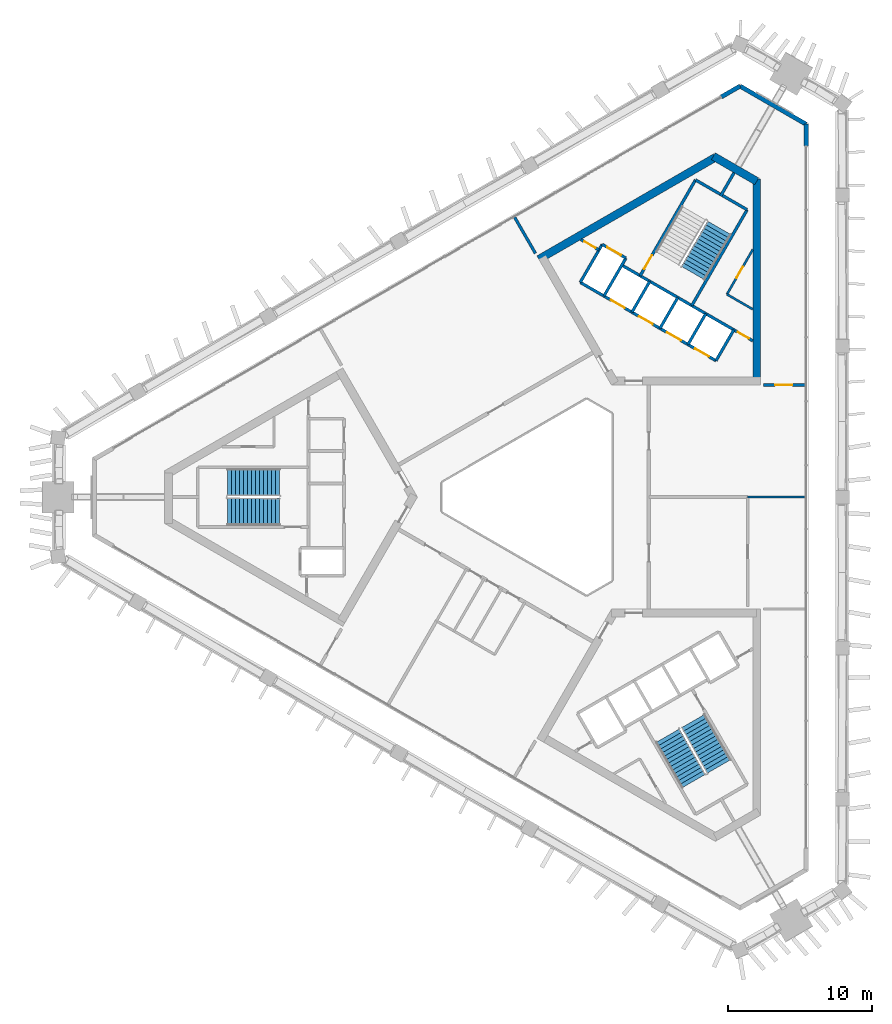
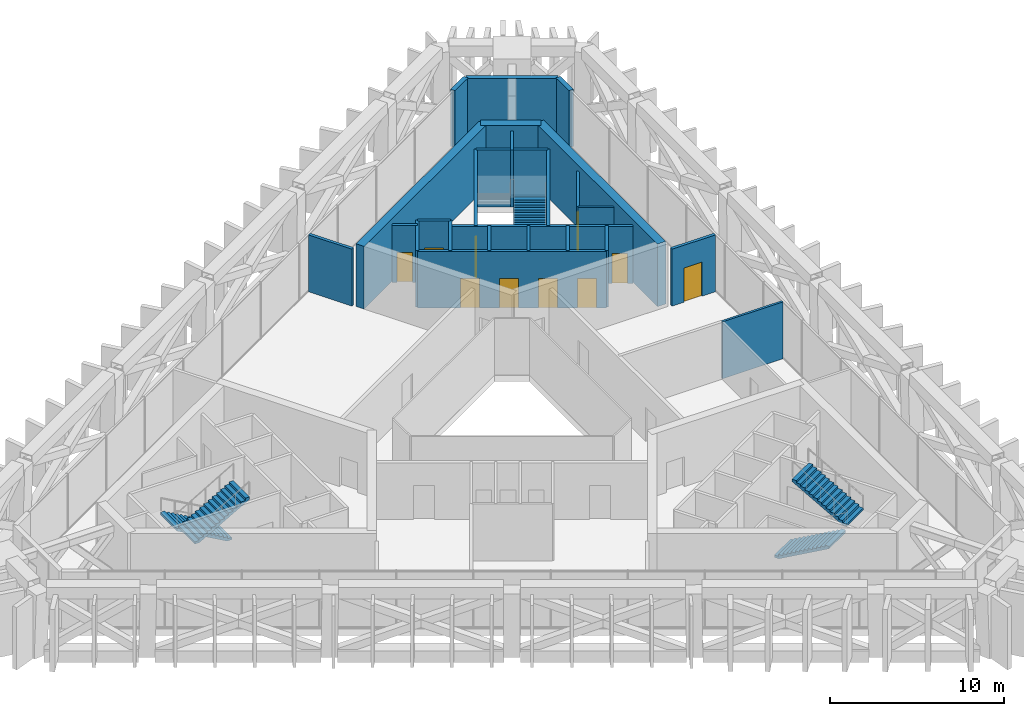
# One storey, part 12 of 15: 25 walls, 10 doors, 5 stair flights, 10 openings, 3 elements without a shape of their own.
"""IFC4 building model written with IfcOpenShell, lengths in metres."""

from ifc_helpers import new_model, si_unit, direction, frame, frame_2d, origin, place, context, subcontext, project, spatial, polyline, rectangle, outline, extrude, material, layer, layer_set, type_object, element, fill, aggregate, save


model = new_model("IFC4")

# Units and contexts
model_context = context("Model", 3, precision=1e-05, world=origin(), true_north=direction((0.0, 1.0)))
body_context = subcontext(model_context, "Body", "Model", "MODEL_VIEW")
ifc_project = project(units=[si_unit("LENGTHUNIT", "METRE"), si_unit("AREAUNIT", "SQUARE_METRE"), si_unit("VOLUMEUNIT", "CUBIC_METRE"), si_unit("PLANEANGLEUNIT", "RADIAN"), si_unit("MASSUNIT", "GRAM", prefix="KILO")], contexts=[model_context])

# Site, building, storey
site_placement = place(None, origin())
site = spatial("IfcSite", under=ifc_project, at=site_placement, CompositionType="ELEMENT")
building_placement = place(site_placement, origin())
building = spatial("IfcBuilding", under=site, at=building_placement, Name="Jabali Bay Hotel Tower and Convention Centre", CompositionType="ELEMENT")
storey_placement = place(building_placement, frame((0.0, 0.0, 201.39990234375)))
storey = spatial("IfcBuildingStorey", under=building, at=storey_placement, Name="L49", CompositionType="ELEMENT", Elevation=201.39990234375)

# Wall
ifc_material_1 = material(Name="Concrete C40", Category="concrete")
ifc_layer_1 = layer(ifc_material_1, 0.199951171875)
ifc_layer_set_1 = layer_set([ifc_layer_1], Name="Concrete C40")
wall_type_1 = type_object("IfcWallType", Name="Core partition wall 200", PredefinedType="PARTITIONING", material=ifc_layer_set_1)
wall_1_placement = place(storey_placement, frame((87.090087890625, 100.9404296875, 0.0), z_axis=(0.0, 0.0, 1.0), x_axis=(0.499951854219, 0.86605319898, 0.0)))
element("IfcWall", 1, at=wall_1_placement, inside=storey, type_object=wall_type_1, Name="Core wall 1.5 L49", PredefinedType="PARTITIONING", context=body_context, shape_type="SweptSolid", body=[
    extrude(rectangle(XDim=1.873291015625, YDim=0.199951171875, at=frame_2d((0.9365234375, 0.0))), origin(), (0.0, 0.0, 1.0), 4.0),
])

# Wall, opening, door
wall_2_placement = place(storey_placement, frame((78.630126953125, 97.187744140625, 0.0), z_axis=(0.0, 0.0, 1.0), x_axis=(-0.866003949776, 0.500037157592, 0.0)))
wall_2 = element("IfcWall", 2, at=wall_2_placement, inside=storey, type_object=wall_type_1, Name="Core wall 1.12 L49", PredefinedType="PARTITIONING", context=body_context, shape_type="SweptSolid", body=[
    extrude(rectangle(XDim=1.455078125, YDim=0.199951171875, at=frame_2d((0.7275390625, 0.0))), origin(), (0.0, 0.0, 1.0), 4.0),
])
opening_1_placement = place(wall_2_placement, frame((0.277587890625, 0.0, 0.0)))
opening_1 = element("IfcOpeningElement", 3, at=opening_1_placement, cuts=wall_2, Name="Opening D1063", PredefinedType="OPENING", context=body_context, shape_type="SweptSolid", body=[
    extrude(rectangle(XDim=0.89990234375, YDim=2.10009765625, at=frame_2d((0.449951171875, 1.050048828125))), frame((0.0, 0.1103515625, 0.0), z_axis=(0.0, -1.0, 0.0), x_axis=(1.0, 0.0, 0.0)), (0.0, 0.0, 1.0), 0.220947265625),
])
ifc_material_2 = material(Name="Fire-rated steel door", Category="steel")
door_type_1 = type_object("IfcDoorType", Name="Vestibule fire door 900 x 2100", OperationType="NOTDEFINED", PredefinedType="NOTDEFINED", material=ifc_material_2)
door_1_placement = place(opening_1_placement, origin())
door_1 = element("IfcDoor", 4, at=door_1_placement, inside=storey, type_object=door_type_1, Name="Vestibule fire door D1063", OperationType="SINGLE_SWING_LEFT", OverallHeight=2.10009765625, OverallWidth=0.89990234375, PredefinedType="NOTDEFINED", context=body_context, shape_type="SweptSolid", body=[
    extrude(rectangle(XDim=0.89990234375, YDim=2.10009765625, at=frame_2d((0.449951171875, 1.050048828125))), frame((0.0, 0.02490234375, 0.0), z_axis=(0.0, -1.0, 0.0), x_axis=(1.0, 0.0, 0.0)), (0.0, 0.0, 1.0), 0.050048828125),
])
fill(opening_1, door_1)

ifc_material_3 = material(Name="Fire-rated board partition")
ifc_layer_2 = layer(ifc_material_3, 0.14990234375)
ifc_layer_set_2 = layer_set([ifc_layer_2], Name="Fire-rated board partition")
wall_type_2 = type_object("IfcWallType", Name="Core room partition 150", PredefinedType="PARTITIONING", material=ifc_layer_set_2)
wall_3_placement = place(storey_placement, frame((87.531005859375, 94.104248046875, 0.0), z_axis=(0.0, 0.0, 1.0), x_axis=(0.500014173611, 0.866017220491, 0.0)))
wall_3 = element("IfcWall", 5, at=wall_3_placement, inside=storey, type_object=wall_type_2, Name="Core wall 1.1 L49", PredefinedType="PARTITIONING", context=body_context, shape_type="SweptSolid", body=[
    extrude(rectangle(XDim=3.59814453125, YDim=0.14990234375, at=frame_2d((1.799072265625, 0.0))), origin(), (0.0, 0.0, 1.0), 4.0),
])
opening_2_placement = place(wall_3_placement, frame((1.321533203125, 0.0, 0.0)))
opening_2 = element("IfcOpeningElement", 6, at=opening_2_placement, cuts=wall_3, Name="Opening D1066", PredefinedType="OPENING", context=body_context, shape_type="SweptSolid", body=[
    extrude(rectangle(XDim=0.89990234375, YDim=2.10009765625, at=frame_2d((0.449951171875, 1.050048828125))), frame((0.0, 0.08544921875, 0.0), z_axis=(0.0, -1.0, 0.0), x_axis=(1.0, 0.0, 0.0)), (0.0, 0.0, 1.0), 0.1708984375),
])
door_type_2 = type_object("IfcDoorType", Name="Core room door 900 x 2100", OperationType="NOTDEFINED", PredefinedType="NOTDEFINED", material=ifc_material_2)
door_2_placement = place(opening_2_placement, origin())
door_2 = element("IfcDoor", 7, at=door_2_placement, inside=storey, type_object=door_type_2, Name="Core room door D1066", OperationType="SINGLE_SWING_LEFT", OverallHeight=2.10009765625, OverallWidth=0.89990234375, PredefinedType="NOTDEFINED", context=body_context, shape_type="SweptSolid", body=[
    extrude(rectangle(XDim=0.89990234375, YDim=2.10009765625, at=frame_2d((0.449951171875, 1.050048828125))), frame((0.0, 0.02490234375, 0.0), z_axis=(0.0, -1.0, 0.0), x_axis=(1.0, 0.0, 0.0)), (0.0, 0.0, 1.0), 0.050048828125),
])
fill(opening_2, door_2)

# Walls
wall_4_placement = place(storey_placement, frame((89.330078125, 93.0654296875, 0.0), z_axis=(0.0, 0.0, 1.0), x_axis=(-0.865999660441, 0.500044586128, 0.0)))
element("IfcWall", 8, at=wall_4_placement, inside=storey, type_object=wall_type_2, Name="Core wall 1.14 L49", PredefinedType="PARTITIONING", context=body_context, shape_type="SweptSolid", body=[
    extrude(rectangle(XDim=2.077392578125, YDim=0.14990234375, at=frame_2d((1.03857421875, 0.0))), origin(), (0.0, 0.0, 1.0), 4.0),
])
ifc_layer_3 = layer(ifc_material_1, 0.199951171875)
ifc_layer_set_3 = layer_set([ifc_layer_3], Name="Concrete C40")
wall_type_3 = type_object("IfcWallType", Name="Core stair wall 200", PredefinedType="SOLIDWALL", material=ifc_layer_set_3)
for number, where, z_axis, x_axis, name in (
    (9, (86.769775390625, 89.48583984375, 0.0), (0.0, 0.0, 1.0), (0.499961042966, 0.86604789447, 0.0), "Core wall 1.0 L49"),
    (10, (84.8212890625, 90.61083984375, 0.0), (0.0, 0.0, 1.0), (0.499961042966, 0.86604789447, 0.0), "Core wall 1.2 L49"),
):
    element("IfcWall", number, at=place(storey_placement, frame(where, z_axis=z_axis, x_axis=x_axis)), inside=storey, type_object=wall_type_3, Name=name, PredefinedType="SOLIDWALL", context=body_context, shape_type="SweptSolid", body=[
        extrude(rectangle(XDim=2.480224609375, YDim=0.199951171875, at=frame_2d((1.240234375, 0.0))), origin(), (0.0, 0.0, 1.0), 4.0),
    ])
wall_5_placement = place(storey_placement, frame((85.0869140625, 93.3212890625, 0.0), z_axis=(0.0, 0.0, 1.0), x_axis=(0.500019787375, 0.866013979237, 0.0)))
element("IfcWall", 11, at=wall_5_placement, inside=storey, type_object=wall_type_3, Name="Core wall 1.3 L49", PredefinedType="SOLIDWALL", context=body_context, shape_type="SweptSolid", body=[
    extrude(rectangle(XDim=7.699951171875, YDim=0.199951171875, at=frame_2d((3.85009765625, 0.0))), origin(), (0.0, 0.0, 1.0), 4.0),
])
for number, where, z_axis, x_axis, name in (
    (12, (82.872802734375, 91.73583984375, 0.0), (0.0, 0.0, 1.0), (0.499961042966, 0.86604789447, 0.0), "Core wall 1.4 L49"),
    (13, (80.924072265625, 92.86083984375, 0.0), (0.0, 0.0, 1.0), (0.499961042966, 0.86604789447, 0.0), "Core wall 1.6 L49"),
):
    element("IfcWall", number, at=place(storey_placement, frame(where, z_axis=z_axis, x_axis=x_axis)), inside=storey, type_object=wall_type_3, Name=name, PredefinedType="SOLIDWALL", context=body_context, shape_type="SweptSolid", body=[
        extrude(rectangle(XDim=2.480224609375, YDim=0.199951171875, at=frame_2d((1.240234375, 0.0))), origin(), (0.0, 0.0, 1.0), 4.0),
    ])

# Wall, opening, door
wall_6_placement = place(storey_placement, frame((81.492919921875, 95.396240234375, 0.0), z_axis=(0.0, 0.0, 1.0), x_axis=(0.500006057782, 0.866021906294, 0.0)))
wall_6 = element("IfcWall", 14, at=wall_6_placement, inside=storey, type_object=wall_type_3, Name="Core wall 1.7 L49", PredefinedType="SOLIDWALL", context=body_context, shape_type="SweptSolid", body=[
    extrude(rectangle(XDim=7.7001953125, YDim=0.199951171875, at=frame_2d((3.85009765625, 0.0))), origin(), (0.0, 0.0, 1.0), 4.0),
])
opening_3_placement = place(wall_6_placement, frame((0.550048828125, 0.0, 0.0)))
opening_3 = element("IfcOpeningElement", 15, at=opening_3_placement, cuts=wall_6, Name="Opening D1065", PredefinedType="OPENING", context=body_context, shape_type="SweptSolid", body=[
    extrude(rectangle(XDim=1.10009765625, YDim=2.10009765625, at=frame_2d((0.550048828125, 1.050048828125))), frame((0.0, 0.1103515625, 0.0), z_axis=(0.0, -1.0, 0.0), x_axis=(1.0, 0.0, 0.0)), (0.0, 0.0, 1.0), 0.220947265625),
])
door_type_3 = type_object("IfcDoorType", Name="Stair fire door 1100 x 2100", OperationType="NOTDEFINED", PredefinedType="NOTDEFINED", material=ifc_material_2)
door_3_placement = place(opening_3_placement, origin())
door_3 = element("IfcDoor", 16, at=door_3_placement, inside=storey, type_object=door_type_3, Name="Stair fire door D1065", OperationType="SINGLE_SWING_RIGHT", OverallHeight=2.10009765625, OverallWidth=1.10009765625, PredefinedType="NOTDEFINED", context=body_context, shape_type="SweptSolid", body=[
    extrude(rectangle(XDim=1.10009765625, YDim=2.10009765625, at=frame_2d((0.550048828125, 1.050048828125))), frame((0.0, 0.02490234375, 0.0), z_axis=(0.0, -1.0, 0.0), x_axis=(1.0, 0.0, 0.0)), (0.0, 0.0, 1.0), 0.050048828125),
])
fill(opening_3, door_3)

# Walls
for number, where, z_axis, x_axis, name in (
    (17, (78.9755859375, 93.98583984375, 0.0), (0.0, 0.0, 1.0), (0.499944174705, 0.866057632134, 0.0), "Core wall 1.8 L49"),
    (18, (77.330078125, 94.93603515625, 0.0), (0.0, 0.0, 1.0), (0.500038867431, 0.8660029625, 0.0), "Core wall 1.9 L49"),
):
    element("IfcWall", number, at=place(storey_placement, frame(where, z_axis=z_axis, x_axis=x_axis)), inside=storey, type_object=wall_type_3, Name=name, PredefinedType="SOLIDWALL", context=body_context, shape_type="SweptSolid", body=[
        extrude(rectangle(XDim=3.050048828125, YDim=0.199951171875, at=frame_2d((1.52490234375, 0.0))), origin(), (0.0, 0.0, 1.0), 4.0),
    ])

# Wall, openings, doors
wall_7_placement = place(storey_placement, frame((86.769775390625, 89.48583984375, 0.0), z_axis=(0.0, 0.0, 1.0), x_axis=(-0.86601811187, 0.500012629753, 0.0)))
wall_7 = element("IfcWall", 19, at=wall_7_placement, inside=storey, type_object=wall_type_3, Name="Core wall 1.10 L49", PredefinedType="SOLIDWALL", context=body_context, shape_type="SweptSolid", body=[
    extrude(rectangle(XDim=10.900146484375, YDim=0.199951171875, at=frame_2d((5.4501953125, 0.0))), origin(), (0.0, 0.0, 1.0), 4.0),
])
opening_4_placement = place(wall_7_placement, frame((0.574951171875, 0.0, 0.0)))
opening_4 = element("IfcOpeningElement", 20, at=opening_4_placement, cuts=wall_7, Name="Opening LD6-L49", PredefinedType="OPENING", context=body_context, shape_type="SweptSolid", body=[
    extrude(rectangle(XDim=1.10009765625, YDim=2.10009765625, at=frame_2d((0.550048828125, 1.050048828125))), frame((0.0, 0.1103515625, 0.0), z_axis=(0.0, -1.0, 0.0), x_axis=(1.0, 0.0, 0.0)), (0.0, 0.0, 1.0), 0.220947265625),
])
opening_5_placement = place(wall_7_placement, frame((2.824951171875, 0.0, 0.0)))
opening_5 = element("IfcOpeningElement", 21, at=opening_5_placement, cuts=wall_7, Name="Opening LD7-L49", PredefinedType="OPENING", context=body_context, shape_type="SweptSolid", body=[
    extrude(rectangle(XDim=1.10009765625, YDim=2.10009765625, at=frame_2d((0.550048828125, 1.050048828125))), frame((0.0, 0.1103515625, 0.0), z_axis=(0.0, -1.0, 0.0), x_axis=(1.0, 0.0, 0.0)), (0.0, 0.0, 1.0), 0.220947265625),
])
opening_6_placement = place(wall_7_placement, frame((5.074951171875, 0.0, 0.0)))
opening_6 = element("IfcOpeningElement", 22, at=opening_6_placement, cuts=wall_7, Name="Opening LD8-L49", PredefinedType="OPENING", context=body_context, shape_type="SweptSolid", body=[
    extrude(rectangle(XDim=1.10009765625, YDim=2.10009765625, at=frame_2d((0.550048828125, 1.050048828125))), frame((0.0, 0.1103515625, 0.0), z_axis=(0.0, -1.0, 0.0), x_axis=(1.0, 0.0, 0.0)), (0.0, 0.0, 1.0), 0.220947265625),
])
opening_7_placement = place(wall_7_placement, frame((7.324951171875, 0.0, 0.0)))
opening_7 = element("IfcOpeningElement", 23, at=opening_7_placement, cuts=wall_7, Name="Opening LD9-L49", PredefinedType="OPENING", context=body_context, shape_type="SweptSolid", body=[
    extrude(rectangle(XDim=1.10009765625, YDim=2.10009765625, at=frame_2d((0.550048828125, 1.050048828125))), frame((0.0, 0.1103515625, 0.0), z_axis=(0.0, -1.0, 0.0), x_axis=(1.0, 0.0, 0.0)), (0.0, 0.0, 1.0), 0.220947265625),
])
ifc_material_4 = material(Name="Stainless steel landing door", Category="steel")
door_type_4 = type_object("IfcDoorType", Name="Landing door 1100 x 2100", OperationType="NOTDEFINED", PredefinedType="NOTDEFINED", material=ifc_material_4)
door_4_placement = place(opening_4_placement, origin())
door_4 = element("IfcDoor", 24, at=door_4_placement, inside=storey, type_object=door_type_4, Name="Landing doors LD6-L49", OperationType="SLIDING_TO_RIGHT", OverallHeight=2.10009765625, OverallWidth=1.10009765625, PredefinedType="NOTDEFINED", context=body_context, shape_type="SweptSolid", body=[
    extrude(rectangle(XDim=1.10009765625, YDim=2.10009765625, at=frame_2d((0.550048828125, 1.050048828125))), frame((0.0, 0.02490234375, 0.0), z_axis=(0.0, -1.0, 0.0), x_axis=(1.0, 0.0, 0.0)), (0.0, 0.0, 1.0), 0.050048828125),
])
fill(opening_4, door_4)
door_5_placement = place(opening_5_placement, origin())
door_5 = element("IfcDoor", 25, at=door_5_placement, inside=storey, type_object=door_type_4, Name="Landing doors LD7-L49", OperationType="SLIDING_TO_LEFT", OverallHeight=2.10009765625, OverallWidth=1.10009765625, PredefinedType="NOTDEFINED", context=body_context, shape_type="SweptSolid", body=[
    extrude(rectangle(XDim=1.10009765625, YDim=2.10009765625, at=frame_2d((0.550048828125, 1.050048828125))), frame((0.0, 0.02490234375, 0.0), z_axis=(0.0, -1.0, 0.0), x_axis=(1.0, 0.0, 0.0)), (0.0, 0.0, 1.0), 0.050048828125),
])
fill(opening_5, door_5)
door_6_placement = place(opening_6_placement, origin())
door_6 = element("IfcDoor", 26, at=door_6_placement, inside=storey, type_object=door_type_4, Name="Landing doors LD8-L49", OperationType="SLIDING_TO_RIGHT", OverallHeight=2.10009765625, OverallWidth=1.10009765625, PredefinedType="NOTDEFINED", context=body_context, shape_type="SweptSolid", body=[
    extrude(rectangle(XDim=1.10009765625, YDim=2.10009765625, at=frame_2d((0.550048828125, 1.050048828125))), frame((0.0, 0.02490234375, 0.0), z_axis=(0.0, -1.0, 0.0), x_axis=(1.0, 0.0, 0.0)), (0.0, 0.0, 1.0), 0.050048828125),
])
fill(opening_6, door_6)
door_7_placement = place(opening_7_placement, origin())
door_7 = element("IfcDoor", 27, at=door_7_placement, inside=storey, type_object=door_type_4, Name="Landing doors LD9-L49", OperationType="SLIDING_TO_LEFT", OverallHeight=2.10009765625, OverallWidth=1.10009765625, PredefinedType="NOTDEFINED", context=body_context, shape_type="SweptSolid", body=[
    extrude(rectangle(XDim=1.10009765625, YDim=2.10009765625, at=frame_2d((0.550048828125, 1.050048828125))), frame((0.0, 0.02490234375, 0.0), z_axis=(0.0, -1.0, 0.0), x_axis=(1.0, 0.0, 0.0)), (0.0, 0.0, 1.0), 0.050048828125),
])
fill(opening_7, door_7)

# Wall, opening, door
wall_8_placement = place(storey_placement, frame((89.330078125, 90.87158203125, 0.0), z_axis=(0.0, 0.0, 1.0), x_axis=(-0.866027589512, 0.49999621419, 0.0)))
wall_8 = element("IfcWall", 28, at=wall_8_placement, inside=storey, type_object=wall_type_3, Name="Core wall 1.11 L49", PredefinedType="SOLIDWALL", context=body_context, shape_type="SweptSolid", body=[
    extrude(rectangle(XDim=10.5244140625, YDim=0.199951171875, at=frame_2d((5.26220703125, 0.0))), origin(), (0.0, 0.0, 1.0), 4.0),
])
opening_8_placement = place(wall_8_placement, frame((0.312255859375, 0.0, 0.0)))
opening_8 = element("IfcOpeningElement", 29, at=opening_8_placement, cuts=wall_8, Name="Opening D1064", PredefinedType="OPENING", context=body_context, shape_type="SweptSolid", body=[
    extrude(rectangle(XDim=0.89990234375, YDim=2.10009765625, at=frame_2d((0.449951171875, 1.050048828125))), frame((0.0, 0.1103515625, 0.0), z_axis=(0.0, -1.0, 0.0), x_axis=(1.0, 0.0, 0.0)), (0.0, 0.0, 1.0), 0.220947265625),
])
door_8_placement = place(opening_8_placement, origin())
door_8 = element("IfcDoor", 30, at=door_8_placement, inside=storey, type_object=door_type_1, Name="Vestibule fire door D1064", OperationType="SINGLE_SWING_LEFT", OverallHeight=2.10009765625, OverallWidth=0.89990234375, PredefinedType="NOTDEFINED", context=body_context, shape_type="SweptSolid", body=[
    extrude(rectangle(XDim=0.89990234375, YDim=2.10009765625, at=frame_2d((0.449951171875, 1.050048828125))), frame((0.0, 0.02490234375, 0.0), z_axis=(0.0, -1.0, 0.0), x_axis=(1.0, 0.0, 0.0)), (0.0, 0.0, 1.0), 0.050048828125),
])
fill(opening_8, door_8)

wall_9_placement = place(storey_placement, frame((80.50048828125, 96.62744140625, 0.0), z_axis=(0.0, 0.0, 1.0), x_axis=(-0.86601224135, 0.500022797313, 0.0)))
wall_9 = element("IfcWall", 31, at=wall_9_placement, inside=storey, type_object=wall_type_3, Name="Core wall 1.13 L49", PredefinedType="SOLIDWALL", context=body_context, shape_type="SweptSolid", body=[
    extrude(rectangle(XDim=1.89990234375, YDim=0.199951171875, at=frame_2d((0.949951171875, 0.0))), origin(), (0.0, 0.0, 1.0), 4.0),
])
opening_9_placement = place(wall_9_placement, frame((0.39990234375, 0.0, 0.0)))
opening_9 = element("IfcOpeningElement", 32, at=opening_9_placement, cuts=wall_9, Name="Opening LD10-L49", PredefinedType="OPENING", context=body_context, shape_type="SweptSolid", body=[
    extrude(rectangle(XDim=1.10009765625, YDim=2.10009765625, at=frame_2d((0.550048828125, 1.050048828125))), frame((0.0, 0.1103515625, 0.0), z_axis=(0.0, -1.0, 0.0), x_axis=(1.0, 0.0, 0.0)), (0.0, 0.0, 1.0), 0.220947265625),
])
door_9_placement = place(opening_9_placement, origin())
door_9 = element("IfcDoor", 33, at=door_9_placement, inside=storey, type_object=door_type_4, Name="Landing doors LD10-L49", OperationType="SLIDING_TO_RIGHT", OverallHeight=2.10009765625, OverallWidth=1.10009765625, PredefinedType="NOTDEFINED", context=body_context, shape_type="SweptSolid", body=[
    extrude(rectangle(XDim=1.10009765625, YDim=2.10009765625, at=frame_2d((0.550048828125, 1.050048828125))), frame((0.0, 0.02490234375, 0.0), z_axis=(0.0, -1.0, 0.0), x_axis=(1.0, 0.0, 0.0)), (0.0, 0.0, 1.0), 0.050048828125),
])
fill(opening_9, door_9)

# Walls
wall_10_placement = place(storey_placement, frame((88.93701171875, 99.989501953125, 0.0), z_axis=(0.0, 0.0, 1.0), x_axis=(-0.866004344652, 0.500036473714, 0.0)))
element("IfcWall", 34, at=wall_10_placement, inside=storey, type_object=wall_type_3, Name="Core wall 1.15 L49", PredefinedType="SOLIDWALL", context=body_context, shape_type="SweptSolid", body=[
    extrude(rectangle(XDim=4.150146484375, YDim=0.199951171875, at=frame_2d((2.0751953125, 0.0))), origin(), (0.0, 0.0, 1.0), 4.0),
])
ifc_material_5 = material(Name="Concrete C60", Category="concrete")
ifc_layer_4 = layer(ifc_material_5, 0.550048828125)
ifc_layer_set_4 = layer_set([ifc_layer_4], Name="Concrete C60")
wall_type_4 = type_object("IfcWallType", Name="Core wall 550", PredefinedType="SHEAR", material=ifc_layer_set_4)
wall_11_placement = place(storey_placement, frame((89.60498046875, 88.0693359375, 0.0), z_axis=(0.0, 0.0, 1.0), x_axis=(0.0, 1.0, 0.0)))
element("IfcWall", 35, at=wall_11_placement, inside=storey, type_object=wall_type_4, Name="Core wall 2.2 L49", PredefinedType="SHEAR", context=body_context, shape_type="SweptSolid", body=[
    extrude(rectangle(XDim=14.058349609375, YDim=0.550048828125, at=frame_2d((7.029296875, 0.0))), origin(), (0.0, 0.0, 1.0), 4.400146484375),
])
wall_12_placement = place(storey_placement, frame((89.60498046875, 101.96875, 0.0), z_axis=(0.0, 0.0, 1.0), x_axis=(-0.865997833373, 0.500047750313, 0.0)))
element("IfcWall", 36, at=wall_12_placement, inside=storey, type_object=wall_type_4, Name="Core wall 2.3 L49", PredefinedType="SHEAR", context=body_context, shape_type="SweptSolid", body=[
    extrude(rectangle(XDim=3.486572265625, YDim=0.550048828125, at=frame_2d((1.7431640625, 0.0))), origin(), (0.0, 0.0, 1.0), 4.400146484375),
])
wall_13_placement = place(storey_placement, frame((86.72314453125, 103.6328125, 0.0), z_axis=(0.0, 0.0, 1.0), x_axis=(-0.866023530946, -0.500003243837, 0.0)))
element("IfcWall", 37, at=wall_13_placement, inside=storey, type_object=wall_type_4, Name="Core wall 2.4 L49", PredefinedType="SHEAR", context=body_context, shape_type="SweptSolid", body=[
    extrude(rectangle(XDim=14.1748046875, YDim=0.550048828125, at=frame_2d((7.08740234375, 0.0))), origin(), (0.0, 0.0, 1.0), 4.400146484375),
])
ifc_layer_5 = layer(ifc_material_1, 0.300048828125)
ifc_layer_set_5 = layer_set([ifc_layer_5], Name="Concrete C40")
wall_type_5 = type_object("IfcWallType", Name="External wall 300", PredefinedType="SOLIDWALL", material=ifc_layer_set_5)
wall_14_placement = place(storey_placement, frame((88.443359375, 108.591796875, 0.0), z_axis=(0.0, 0.0, 1.0), x_axis=(0.866029311292, -0.499993231937, 0.0)))
element("IfcWall", 38, at=wall_14_placement, inside=storey, type_object=wall_type_5, Name="External wall north-east chamfer L49", PredefinedType="SOLIDWALL", context=body_context, shape_type="SweptSolid", body=[
    extrude(rectangle(XDim=5.30712890625, YDim=0.300048828125, at=frame_2d((2.653564453125, 0.0))), origin(), (0.0, 0.0, 1.0), 4.0),
])
for number, where, z_axis, x_axis, name in (
    (39, (93.03955078125, 105.938232421875, 0.0), (0.0, 0.0, 1.0), (0.0, -1.0, 0.0), "External wall east face L49"),
    (40, (87.144287109375, 107.841796875, 0.0), (0.0, 0.0, 1.0), (0.866031096941, 0.499990139034, 0.0), "External wall north-west face L49"),
):
    element("IfcWall", number, at=place(storey_placement, frame(where, z_axis=z_axis, x_axis=x_axis)), inside=storey, type_object=wall_type_5, Name=name, PredefinedType="SOLIDWALL", context=body_context, shape_type="SweptSolid", body=[
        extrude(rectangle(XDim=1.5, YDim=0.300048828125, at=frame_2d((0.75, 0.0))), origin(), (0.0, 0.0, 1.0), 4.0),
    ])
ifc_material_6 = material(Name="Plasterboard on steel stud", Category="steel")
ifc_layer_6 = layer(ifc_material_6, 0.14990234375)
ifc_layer_set_6 = layer_set([ifc_layer_6], Name="Plasterboard on steel stud")
wall_type_6 = type_object("IfcWallType", Name="Partition 150 wet", PredefinedType="PARTITIONING", material=ifc_layer_set_6)
wall_15_placement = place(storey_placement, frame((92.985595703125, 80.0, 0.0), z_axis=(0.0, 0.0, 1.0), x_axis=(-1.0, 0.0, 0.0)))
element("IfcWall", 41, at=wall_15_placement, inside=storey, type_object=wall_type_6, Name="Partition P03 L49 003", PredefinedType="PARTITIONING", context=body_context, shape_type="SweptSolid", body=[
    extrude(rectangle(XDim=4.030029296875, YDim=0.14990234375, at=frame_2d((2.01513671875, 0.0))), origin(), (0.0, 0.0, 1.0), 4.0),
])

# Wall, opening, door
ifc_layer_7 = layer(ifc_material_6, 0.199951171875)
ifc_layer_set_7 = layer_set([ifc_layer_7], Name="Plasterboard on steel stud")
wall_type_7 = type_object("IfcWallType", Name="Partition 200 party", PredefinedType="PARTITIONING", material=ifc_layer_set_7)
wall_16_placement = place(storey_placement, frame((90.0791015625, 87.794189453125, 0.0), z_axis=(0.0, 0.0, 1.0), x_axis=(1.0, 0.0, 0.0)))
wall_16 = element("IfcWall", 42, at=wall_16_placement, inside=storey, type_object=wall_type_7, Name="Partition P01 L49 005", PredefinedType="PARTITIONING", context=body_context, shape_type="SweptSolid", body=[
    extrude(rectangle(XDim=2.906494140625, YDim=0.199951171875, at=frame_2d((1.453125, 0.0))), origin(), (0.0, 0.0, 1.0), 4.0),
])
opening_10_placement = place(wall_16_placement, frame((0.805908203125, 0.0, 0.0)))
opening_10 = element("IfcOpeningElement", 43, at=opening_10_placement, cuts=wall_16, Name="Opening 4911", PredefinedType="OPENING", context=body_context, shape_type="SweptSolid", body=[
    extrude(rectangle(XDim=1.199951171875, YDim=2.39990234375, at=frame_2d((0.60009765625, 1.199951171875))), frame((0.0, 0.1103515625, 0.0), z_axis=(0.0, -1.0, 0.0), x_axis=(1.0, 0.0, 0.0)), (0.0, 0.0, 1.0), 0.220947265625),
])
ifc_material_7 = material(Name="Timber", Category="wood")
door_type_5 = type_object("IfcDoorType", Name="Public room door 1200 x 2400", OperationType="NOTDEFINED", PredefinedType="NOTDEFINED", material=ifc_material_7)
door_10_placement = place(opening_10_placement, origin())
door_10 = element("IfcDoor", 44, at=door_10_placement, inside=storey, type_object=door_type_5, Name="Door 4911", OperationType="SINGLE_SWING_RIGHT", OverallHeight=2.39990234375, OverallWidth=1.199951171875, PredefinedType="NOTDEFINED", context=body_context, shape_type="SweptSolid", body=[
    extrude(rectangle(XDim=1.199951171875, YDim=2.39990234375, at=frame_2d((0.60009765625, 1.199951171875))), frame((0.0, 0.02490234375, 0.0), z_axis=(0.0, -1.0, 0.0), x_axis=(1.0, 0.0, 0.0)), (0.0, 0.0, 1.0), 0.050048828125),
])
fill(opening_10, door_10)

# Wall
wall_17_placement = place(storey_placement, frame((72.757080078125, 99.47314453125, 0.0), z_axis=(0.0, 0.0, 1.0), x_axis=(0.499996306993, -0.866027535932, 0.0)))
element("IfcWall", 45, at=wall_17_placement, inside=storey, type_object=wall_type_7, Name="Partition P01 L49 007", PredefinedType="PARTITIONING", context=body_context, shape_type="SweptSolid", body=[
    extrude(rectangle(XDim=2.90673828125, YDim=0.199951171875, at=frame_2d((1.453369140625, 0.0))), origin(), (0.0, 0.0, 1.0), 4.0),
])

# Stair, stair flights
stair_type = type_object("IfcStairType", Name="Exit stair 1900", PredefinedType="HALF_TURN_STAIR", material=ifc_material_1)
stair_1_placement = place(storey_placement, origin())
stair_1 = element("IfcStair", 46, at=stair_1_placement, inside=storey, type_object=stair_type, Name="L49 Exit Stair 1", PredefinedType="HALF_TURN_STAIR")
stair_flight_type = type_object("IfcStairFlightType", Name="Stair flight concrete 150", PredefinedType="STRAIGHT", material=ifc_material_1)
stair_flight_1_placement = place(storey_placement, frame((56.419921875, 81.02490234375, 0.0), z_axis=(0.0, 0.0, 1.0), x_axis=(-1.0, 0.0, 0.0)))
stair_flight_1 = element("IfcStairFlight", 47, at=stair_flight_1_placement, type_object=stair_flight_type, Name="ST1 flight 1", NumberOfRisers=14, NumberOfTreads=13, PredefinedType="STRAIGHT", RiserHeight=0.157142857, TreadLength=0.28, context=body_context, shape_type="SweptSolid", body=[
    extrude(outline(polyline([(0.0, 0.0), (0.0, 0.1572265625), (0.280029296875, 0.1572265625), (0.280029296875, 0.314208984375), (0.56005859375, 0.314208984375), (0.56005859375, 0.471435546875), (0.840087890625, 0.471435546875), (0.840087890625, 0.628662109375), (1.1201171875, 0.628662109375), (1.1201171875, 0.78564453125), (1.39990234375, 0.78564453125), (1.39990234375, 0.94287109375), (1.679931640625, 0.94287109375), (1.679931640625, 1.10009765625), (1.9599609375, 1.10009765625), (1.9599609375, 1.257080078125), (2.239990234375, 1.257080078125), (2.239990234375, 1.414306640625), (2.52001953125, 1.414306640625), (2.52001953125, 1.571533203125), (2.800048828125, 1.571533203125), (2.800048828125, 1.728515625), (3.080078125, 1.728515625), (3.080078125, 1.8857421875), (3.360107421875, 1.8857421875), (3.360107421875, 2.04296875), (3.639892578125, 2.04296875), (3.639892578125, 2.199951171875), (3.639892578125, 1.870849609375), (0.306396484375, 0.0), (0.0, 0.0)])), frame((0.0, 0.949951171875, 0.0), z_axis=(0.0, -1.0, 0.0), x_axis=(1.0, 0.0, 0.0)), (0.0, 0.0, 1.0), 1.89990234375),
])
stair_flight_2_placement = place(storey_placement, frame((52.780029296875, 78.97509765625, 2.2001953125), z_axis=(0.0, 0.0, 1.0), x_axis=(1.0, 0.0, 0.0)))
stair_flight_2 = element("IfcStairFlight", 48, at=stair_flight_2_placement, type_object=stair_flight_type, Name="ST1 flight 2", NumberOfRisers=14, NumberOfTreads=13, PredefinedType="STRAIGHT", RiserHeight=0.157142857, TreadLength=0.28, context=body_context, shape_type="SweptSolid", body=[
    extrude(outline(polyline([(0.0, 0.0), (0.0, 0.1572265625), (0.280029296875, 0.1572265625), (0.280029296875, 0.314208984375), (0.56005859375, 0.314208984375), (0.56005859375, 0.471435546875), (0.840087890625, 0.471435546875), (0.840087890625, 0.628662109375), (1.1201171875, 0.628662109375), (1.1201171875, 0.78564453125), (1.39990234375, 0.78564453125), (1.39990234375, 0.94287109375), (1.679931640625, 0.94287109375), (1.679931640625, 1.10009765625), (1.9599609375, 1.10009765625), (1.9599609375, 1.257080078125), (2.239990234375, 1.257080078125), (2.239990234375, 1.414306640625), (2.52001953125, 1.414306640625), (2.52001953125, 1.571533203125), (2.800048828125, 1.571533203125), (2.800048828125, 1.728515625), (3.080078125, 1.728515625), (3.080078125, 1.8857421875), (3.360107421875, 1.8857421875), (3.360107421875, 2.04296875), (3.639892578125, 2.04296875), (3.639892578125, 2.199951171875), (3.639892578125, 1.870849609375), (0.306396484375, 0.0), (0.0, 0.0)])), frame((0.0, 0.949951171875, 0.0), z_axis=(0.0, -1.0, 0.0), x_axis=(1.0, 0.0, 0.0)), (0.0, 0.0, 1.0), 1.89990234375),
])
aggregate(stair_1, [stair_flight_1, stair_flight_2])

# Stair, stair flight
stair_2_placement = place(storey_placement, origin())
stair_2 = element("IfcStair", 49, at=stair_2_placement, inside=storey, type_object=stair_type, Name="L49 Exit Stair 2", PredefinedType="HALF_TURN_STAIR")
stair_flight_3_placement = place(storey_placement, frame((85.177734375, 95.578369140625, 0.0), z_axis=(0.0, 0.0, 1.0), x_axis=(0.5, 0.866025403784, 0.0)))
stair_flight_3 = element("IfcStairFlight", 50, at=stair_flight_3_placement, type_object=stair_flight_type, Name="ST2 flight 1", NumberOfRisers=14, NumberOfTreads=13, PredefinedType="STRAIGHT", RiserHeight=0.157142857, TreadLength=0.28, context=body_context, shape_type="SweptSolid", body=[
    extrude(outline(polyline([(0.0, 0.0), (0.0, 0.1572265625), (0.280029296875, 0.1572265625), (0.280029296875, 0.314208984375), (0.56005859375, 0.314208984375), (0.56005859375, 0.471435546875), (0.840087890625, 0.471435546875), (0.840087890625, 0.628662109375), (1.1201171875, 0.628662109375), (1.1201171875, 0.78564453125), (1.39990234375, 0.78564453125), (1.39990234375, 0.94287109375), (1.679931640625, 0.94287109375), (1.679931640625, 1.10009765625), (1.9599609375, 1.10009765625), (1.9599609375, 1.257080078125), (2.239990234375, 1.257080078125), (2.239990234375, 1.414306640625), (2.52001953125, 1.414306640625), (2.52001953125, 1.571533203125), (2.800048828125, 1.571533203125), (2.800048828125, 1.728515625), (3.080078125, 1.728515625), (3.080078125, 1.8857421875), (3.360107421875, 1.8857421875), (3.360107421875, 2.04296875), (3.639892578125, 2.04296875), (3.639892578125, 2.199951171875), (3.639892578125, 1.870849609375), (0.306396484375, 0.0), (0.0, 0.0)])), frame((0.0, 0.949951171875, 0.0), z_axis=(0.0, -1.0, 0.0), x_axis=(1.0, 0.0, 0.0)), (0.0, 0.0, 1.0), 1.89990234375),
])
aggregate(stair_2, [stair_flight_3])

# Stair, stair flights
stair_3_placement = place(storey_placement, origin())
stair_3 = element("IfcStair", 51, at=stair_3_placement, inside=storey, type_object=stair_type, Name="L49 Exit Stair 3", PredefinedType="HALF_TURN_STAIR")
stair_flight_4_placement = place(storey_placement, frame((83.40234375, 63.396728515625, 0.0), z_axis=(0.0, 0.0, 1.0), x_axis=(0.5, -0.866025403784, 0.0)))
stair_flight_4 = element("IfcStairFlight", 52, at=stair_flight_4_placement, type_object=stair_flight_type, Name="ST3 flight 1", NumberOfRisers=14, NumberOfTreads=13, PredefinedType="STRAIGHT", RiserHeight=0.157142857, TreadLength=0.28, context=body_context, shape_type="SweptSolid", body=[
    extrude(outline(polyline([(0.0, 0.0), (0.0, 0.1572265625), (0.280029296875, 0.1572265625), (0.280029296875, 0.314208984375), (0.56005859375, 0.314208984375), (0.56005859375, 0.471435546875), (0.840087890625, 0.471435546875), (0.840087890625, 0.628662109375), (1.1201171875, 0.628662109375), (1.1201171875, 0.78564453125), (1.39990234375, 0.78564453125), (1.39990234375, 0.94287109375), (1.679931640625, 0.94287109375), (1.679931640625, 1.10009765625), (1.9599609375, 1.10009765625), (1.9599609375, 1.257080078125), (2.239990234375, 1.257080078125), (2.239990234375, 1.414306640625), (2.52001953125, 1.414306640625), (2.52001953125, 1.571533203125), (2.800048828125, 1.571533203125), (2.800048828125, 1.728515625), (3.080078125, 1.728515625), (3.080078125, 1.8857421875), (3.360107421875, 1.8857421875), (3.360107421875, 2.04296875), (3.639892578125, 2.04296875), (3.639892578125, 2.199951171875), (3.639892578125, 1.870849609375), (0.306396484375, 0.0), (0.0, 0.0)])), frame((0.0, 0.949951171875, 0.0), z_axis=(0.0, -1.0, 0.0), x_axis=(1.0, 0.0, 0.0)), (0.0, 0.0, 1.0), 1.89990234375),
])
stair_flight_5_placement = place(storey_placement, frame((86.99755859375, 61.26953125, 2.2001953125), z_axis=(0.0, 0.0, 1.0), x_axis=(-0.5, 0.866025403784, 0.0)))
stair_flight_5 = element("IfcStairFlight", 53, at=stair_flight_5_placement, type_object=stair_flight_type, Name="ST3 flight 2", NumberOfRisers=14, NumberOfTreads=13, PredefinedType="STRAIGHT", RiserHeight=0.157142857, TreadLength=0.28, context=body_context, shape_type="SweptSolid", body=[
    extrude(outline(polyline([(0.0, 0.0), (0.0, 0.1572265625), (0.280029296875, 0.1572265625), (0.280029296875, 0.314208984375), (0.56005859375, 0.314208984375), (0.56005859375, 0.471435546875), (0.840087890625, 0.471435546875), (0.840087890625, 0.628662109375), (1.1201171875, 0.628662109375), (1.1201171875, 0.78564453125), (1.39990234375, 0.78564453125), (1.39990234375, 0.94287109375), (1.679931640625, 0.94287109375), (1.679931640625, 1.10009765625), (1.9599609375, 1.10009765625), (1.9599609375, 1.257080078125), (2.239990234375, 1.257080078125), (2.239990234375, 1.414306640625), (2.52001953125, 1.414306640625), (2.52001953125, 1.571533203125), (2.800048828125, 1.571533203125), (2.800048828125, 1.728515625), (3.080078125, 1.728515625), (3.080078125, 1.8857421875), (3.360107421875, 1.8857421875), (3.360107421875, 2.04296875), (3.639892578125, 2.04296875), (3.639892578125, 2.199951171875), (3.639892578125, 1.870849609375), (0.306396484375, 0.0), (0.0, 0.0)])), frame((0.0, 0.949951171875, 0.0), z_axis=(0.0, -1.0, 0.0), x_axis=(1.0, 0.0, 0.0)), (0.0, 0.0, 1.0), 1.89990234375),
])
aggregate(stair_3, [stair_flight_4, stair_flight_5])

save(model, "model.ifc")
